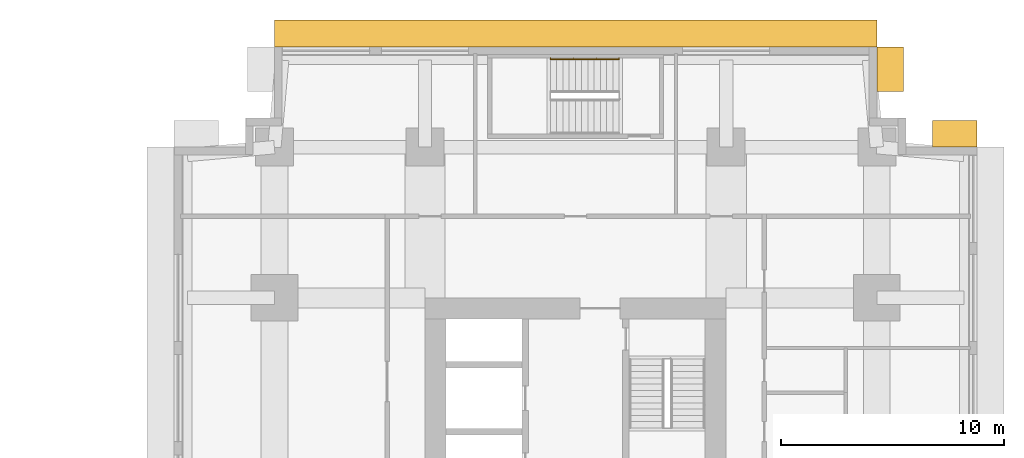
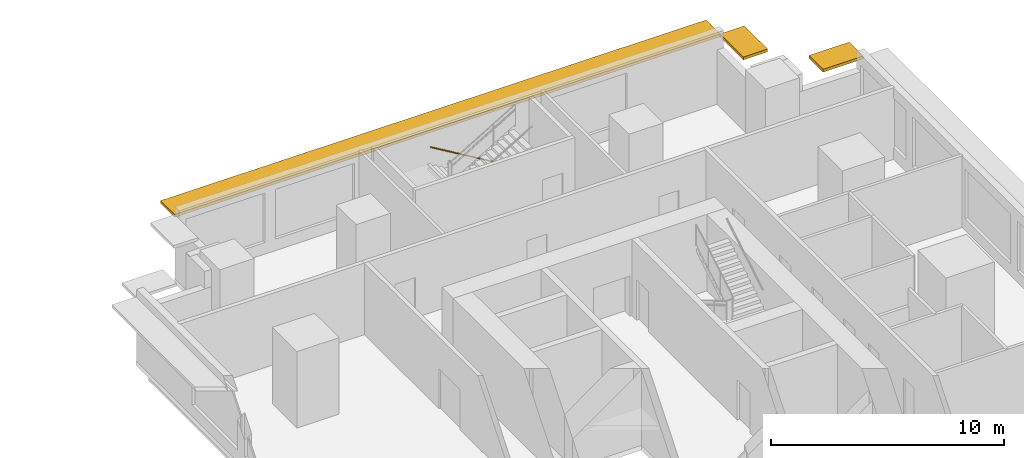
# One storey, part 11 of 11: 3 shading devices, 1 railing.
"""IFC4 building model written with IfcOpenShell, lengths in metres."""

from ifc_helpers import new_model, si_unit, direction, frame, origin, origin_2d, place, context, subcontext, project, spatial, rectangle, circle, extrude, material, layer, layer_set, type_object, element, save


model = new_model("IFC4")

# Units and contexts
model_context = context("Model", 3, precision=1e-05, world=origin(), true_north=direction((0.0, 1.0)))
body_context = subcontext(model_context, "Body", "Model", "MODEL_VIEW")
ifc_project = project(units=[si_unit("LENGTHUNIT", "METRE"), si_unit("AREAUNIT", "SQUARE_METRE"), si_unit("VOLUMEUNIT", "CUBIC_METRE"), si_unit("PLANEANGLEUNIT", "RADIAN"), si_unit("MASSUNIT", "GRAM", prefix="KILO")], contexts=[model_context])

# Site, building, storey
site_placement = place(None, origin())
site = spatial("IfcSite", under=ifc_project, at=site_placement, CompositionType="ELEMENT")
building_placement = place(site_placement, origin())
building = spatial("IfcBuilding", under=site, at=building_placement, Name="Namib Vertical Campus", CompositionType="ELEMENT")
storey_placement = place(building_placement, frame((0.0, 0.0, 61.0)))
storey = spatial("IfcBuildingStorey", under=building, at=storey_placement, Name="L14", CompositionType="ELEMENT", Elevation=61.0)

# Railing
ifc_material_1 = material(Name="Steel handrail", Category="steel")
railing_type = type_object("IfcRailingType", Name="Handrail 900", PredefinedType="HANDRAIL", material=ifc_material_1)
railing_placement = place(storey_placement, frame((82.949951171875, 39.949951171875, 0.166748046875)))
element("IfcRailing", 1, at=railing_placement, inside=storey, type_object=railing_type, Name="Handrail HR1 B-S3 L14 1", PredefinedType="HANDRAIL", context=body_context, shape_type="SweptSolid", body=[
    extrude(circle(Radius=0.02392578125, at=origin_2d()), frame((0.0, 0.0, 0.8759765625), z_axis=(-0.859290745958, 0.0, 0.51148745235), x_axis=(0.0, -1.0, 0.0)), (0.0, 0.0, 1.0), 3.584228515625),
    extrude(circle(Radius=0.008056640625, at=origin_2d()), frame((0.0, 0.0, 0.8759765625), z_axis=(0.0, 1.0, 0.0), x_axis=(0.0, 0.0, 1.0)), (0.0, 0.0, 1.0), 0.050048828125),
    extrude(circle(Radius=0.008056640625, at=origin_2d()), frame((-1.026611328125, 0.0, 1.48681640625), z_axis=(0.0, 1.0, 0.0), x_axis=(0.0, 0.0, 1.0)), (0.0, 0.0, 1.0), 0.050048828125),
    extrude(circle(Radius=0.008056640625, at=origin_2d()), frame((-2.05322265625, 0.0, 2.09814453125), z_axis=(0.0, 1.0, 0.0), x_axis=(0.0, 0.0, 1.0)), (0.0, 0.0, 1.0), 0.050048828125),
    extrude(circle(Radius=0.008056640625, at=origin_2d()), frame((-3.079833984375, 0.0, 2.708984375), z_axis=(0.0, 1.0, 0.0), x_axis=(0.0, 0.0, 1.0)), (0.0, 0.0, 1.0), 0.050048828125),
])

# Shading devices
ifc_material_2 = material(Name="Concrete C40/50 precast", Category="concrete")
ifc_layer = layer(ifc_material_2, 0.14990234375)
ifc_layer_set = layer_set([ifc_layer], Name="Concrete C40/50 precast")
shading_device_type = type_object("IfcShadingDeviceType", Name="Sunshade hood 1200", PredefinedType="SHUTTER", material=ifc_layer_set)
for number, where, z_axis, x_axis, name in (
    (2, (98.0, 36.60009765625, 3.199951171875), (0.0, 0.0, 1.0), (-1.0, 0.0, 0.0), "Sunshade SH2 L14 7"),
    (3, (95.10009765625, 39.5, 3.199951171875), (0.0, 0.0, 1.0), (0.0, 1.0, 0.0), "Sunshade SH2 L14 10"),
):
    element("IfcShadingDevice", number, at=place(storey_placement, frame(where, z_axis=z_axis, x_axis=x_axis)), inside=storey, type_object=shading_device_type, Name=name, PredefinedType="SHUTTER", context=body_context, shape_type="SweptSolid", body=[
        extrude(rectangle(XDim=2.0, YDim=1.199951171875, at=origin_2d()), origin(), (0.0, 0.0, 1.0), 0.14990234375),
    ])
shading_device_placement = place(storey_placement, frame((81.0, 41.10009765625, 3.199951171875), z_axis=(0.0, 0.0, 1.0), x_axis=(-1.0, 0.0, 0.0)))
element("IfcShadingDevice", 4, at=shading_device_placement, inside=storey, type_object=shading_device_type, Name="Sunshade SH2 L14 11", PredefinedType="SHUTTER", context=body_context, shape_type="SweptSolid", body=[
    extrude(rectangle(XDim=27.0, YDim=1.199951171875, at=origin_2d()), origin(), (0.0, 0.0, 1.0), 0.14990234375),
])

save(model, "model.ifc")
